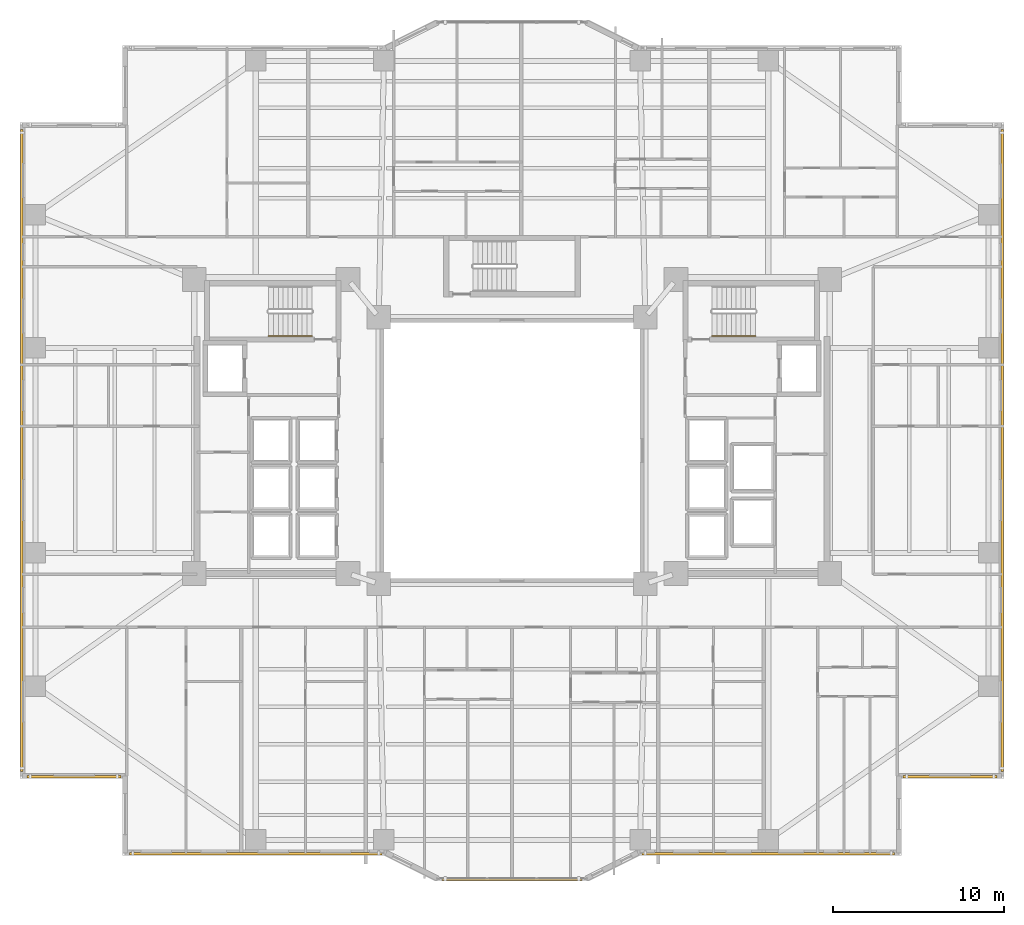
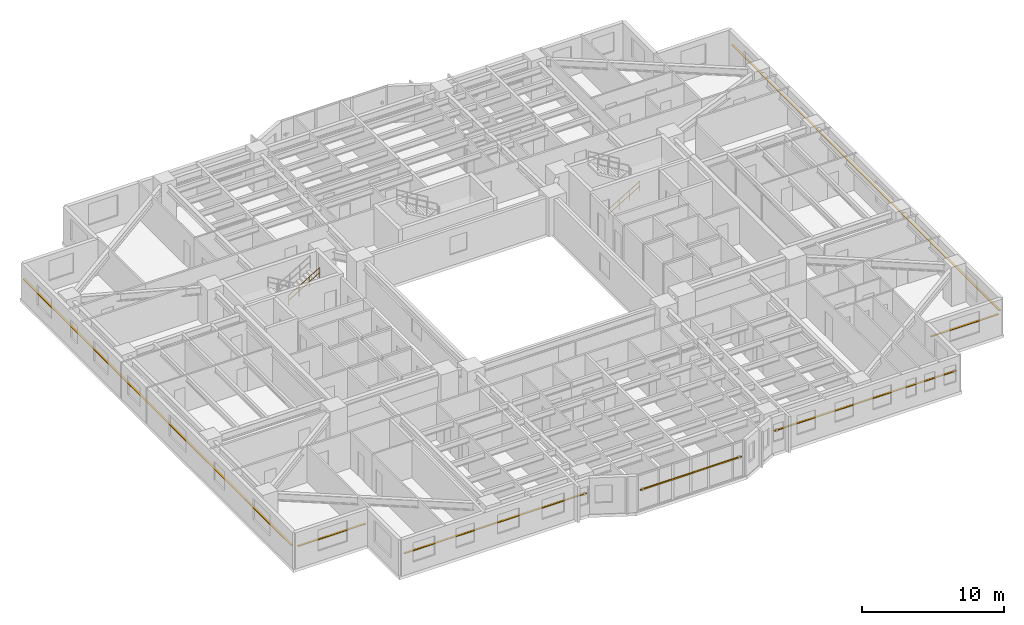
# One storey, part 20 of 22: 7 shading devices, 2 railings.
"""IFC4 building model written with IfcOpenShell, lengths in metres."""

from ifc_helpers import new_model, si_unit, direction, frame, origin, origin_2d, place, context, subcontext, project, spatial, rectangle, circle, extrude, material, material_profile, profile_set, type_object, element, save


model = new_model("IFC4")

# Units and contexts
model_context = context("Model", 3, precision=1e-05, world=origin(), true_north=direction((0.0, 1.0)))
body_context = subcontext(model_context, "Body", "Model", "MODEL_VIEW")
ifc_project = project(units=[si_unit("LENGTHUNIT", "METRE"), si_unit("AREAUNIT", "SQUARE_METRE"), si_unit("VOLUMEUNIT", "CUBIC_METRE"), si_unit("PLANEANGLEUNIT", "RADIAN"), si_unit("MASSUNIT", "GRAM", prefix="KILO")], contexts=[model_context])

# Site, building, storey
site_placement = place(None, origin())
site = spatial("IfcSite", under=ifc_project, at=site_placement, CompositionType="ELEMENT")
building_placement = place(site_placement, origin())
building = spatial("IfcBuilding", under=site, at=building_placement, Name="Tarnavaz Court Tower", CompositionType="ELEMENT")
storey_placement = place(building_placement, frame((0.0, 0.0, 27.35009765625)))
storey = spatial("IfcBuildingStorey", under=building, at=storey_placement, Name="L06", CompositionType="ELEMENT", Elevation=27.35009765625)

# Railings
ifc_material_1 = material(Name="Brushed Stainless Steel", Category="steel")
railing_type = type_object("IfcRailingType", Name="RL-HANDRAIL-900", PredefinedType="HANDRAIL", material=ifc_material_1)
railing_1_placement = place(storey_placement, frame((-14.239990234375, 6.699951171875, 1.84228515625)))
element("IfcRailing", 1, at=railing_1_placement, inside=storey, type_object=railing_type, Name="L06 ST-W1 stair handrail 2", PredefinedType="HANDRAIL", context=body_context, shape_type="SweptSolid", body=[
    extrude(circle(Radius=0.02392578125, at=origin_2d()), frame((0.0, 0.0, 0.8759765625), z_axis=(0.858159760407, 0.0, 0.513382728203), x_axis=(0.0, 1.0, 0.0)), (0.0, 0.0, 1.0), 2.9365234375),
    extrude(circle(Radius=0.02392578125, at=origin_2d()), frame((0.0, 0.0, 0.449951171875), z_axis=(0.858159760407, 0.0, 0.513382728203), x_axis=(0.0, 1.0, 0.0)), (0.0, 0.0, 1.0), 2.9365234375),
    extrude(circle(Radius=0.02099609375, at=origin_2d()), origin(), (0.0, 0.0, 1.0), 0.851806640625),
    extrude(circle(Radius=0.02099609375, at=origin_2d()), frame((0.840087890625, 0.0, 0.50244140625)), (0.0, 0.0, 1.0), 0.851806640625),
    extrude(circle(Radius=0.02099609375, at=origin_2d()), frame((1.679931640625, 0.0, 1.005126953125)), (0.0, 0.0, 1.0), 0.851806640625),
    extrude(circle(Radius=0.02099609375, at=origin_2d()), frame((2.52001953125, 0.0, 1.507568359375)), (0.0, 0.0, 1.0), 0.851806640625),
])
railing_2_placement = place(storey_placement, frame((11.719970703125, 6.699951171875, 0.16748046875)))
element("IfcRailing", 2, at=railing_2_placement, inside=storey, type_object=railing_type, Name="L06 ST-E1 stair handrail 1", PredefinedType="HANDRAIL", context=body_context, shape_type="SweptSolid", body=[
    extrude(circle(Radius=0.02392578125, at=origin_2d()), frame((0.0, 0.0, 0.8759765625), z_axis=(0.858196387827, 0.0, 0.513321497621), x_axis=(0.0, 1.0, 0.0)), (0.0, 0.0, 1.0), 2.9365234375),
    extrude(circle(Radius=0.02392578125, at=origin_2d()), frame((0.0, 0.0, 0.449951171875), z_axis=(0.858196387827, 0.0, 0.513321497621), x_axis=(0.0, 1.0, 0.0)), (0.0, 0.0, 1.0), 2.9365234375),
    extrude(circle(Radius=0.02099609375, at=origin_2d()), origin(), (0.0, 0.0, 1.0), 0.851806640625),
    extrude(circle(Radius=0.02099609375, at=origin_2d()), frame((0.840087890625, 0.0, 0.50244140625)), (0.0, 0.0, 1.0), 0.851806640625),
    extrude(circle(Radius=0.02099609375, at=origin_2d()), frame((1.679931640625, 0.0, 1.0048828125)), (0.0, 0.0, 1.0), 0.851806640625),
    extrude(circle(Radius=0.02099609375, at=origin_2d()), frame((2.52001953125, 0.0, 1.50732421875)), (0.0, 0.0, 1.0), 0.851806640625),
])

# Shading devices
ifc_material_2 = material(Name="Kiln-Fired Khorasan Terracotta Ceramic", Category="masonry")
ifc_material_profile_1 = material_profile(ifc_material_2, rectangle(XDim=0.1201171875, YDim=0.06005859375, at=origin_2d()), Name="TC BAGUETTE 120X60")
ifc_profile_set_1 = profile_set([ifc_material_profile_1], Name="Kiln-Fired Khorasan Terracotta Ceramic")
shading_device_type_1 = type_object("IfcShadingDeviceType", Name="SD-BAG-120", PredefinedType="USERDEFINED", material=ifc_profile_set_1)
shading_device_1_placement = place(storey_placement, frame((4.10009765625, -25.110107421875, 1.7998046875), z_axis=(-1.0, 0.0, 0.0), x_axis=(0.0, -1.0, 0.0)))
element("IfcShadingDevice", 3, at=shading_device_1_placement, inside=storey, type_object=shading_device_type_1, Name="L06 Terracotta Baguette Screen PBG17", ObjectType="BAGUETTE", PredefinedType="USERDEFINED", context=body_context, shape_type="SweptSolid", body=[
    extrude(rectangle(XDim=0.1201171875, YDim=0.06005859375, at=origin_2d()), origin(), (0.0, 0.0, 1.0), 8.2001953125),
])
ifc_material_profile_2 = material_profile(ifc_material_2, rectangle(XDim=0.14990234375, YDim=0.06494140625, at=origin_2d()), Name="TC BAGUETTE 150X65")
ifc_profile_set_2 = profile_set([ifc_material_profile_2], Name="Kiln-Fired Khorasan Terracotta Ceramic")
shading_device_type_2 = type_object("IfcShadingDeviceType", Name="SD-BAG-150", PredefinedType="USERDEFINED", material=ifc_profile_set_2)
shading_device_2_placement = place(storey_placement, frame((-22.89990234375, -19.110107421875, 1.849853515625), z_axis=(-1.0, 0.0, 0.0), x_axis=(0.0, -1.0, 0.0)))
element("IfcShadingDevice", 4, at=shading_device_2_placement, inside=storey, type_object=shading_device_type_2, Name="L06 Terracotta Baguette Screen FBG01", ObjectType="BAGUETTE", PredefinedType="USERDEFINED", context=body_context, shape_type="SweptSolid", body=[
    extrude(rectangle(XDim=0.14990234375, YDim=0.06494140625, at=origin_2d()), origin(), (0.0, 0.0, 1.0), 5.5),
])
for number, where, z_axis, x_axis, name in (
    (5, (-28.7099609375, -18.800048828125, 1.849853515625), (0.0, 1.0, 0.0), (-1.0, 0.0, 0.0), "L06 Terracotta Baguette Screen FBG02"),
    (6, (28.7099609375, 18.800048828125, 1.849853515625), (0.0, -1.0, 0.0), (1.0, 0.0, 0.0), "L06 Terracotta Baguette Screen FBG12"),
):
    element("IfcShadingDevice", number, at=place(storey_placement, frame(where, z_axis=z_axis, x_axis=x_axis)), inside=storey, type_object=shading_device_type_2, Name=name, ObjectType="BAGUETTE", PredefinedType="USERDEFINED", context=body_context, shape_type="SweptSolid", body=[
        extrude(rectangle(XDim=0.14990234375, YDim=0.06494140625, at=origin_2d()), origin(), (0.0, 0.0, 1.0), 37.60009765625),
    ])
shading_device_3_placement = place(storey_placement, frame((28.39990234375, -19.110107421875, 1.849853515625), z_axis=(-1.0, 0.0, 0.0), x_axis=(0.0, -1.0, 0.0)))
element("IfcShadingDevice", 7, at=shading_device_3_placement, inside=storey, type_object=shading_device_type_2, Name="L06 Terracotta Baguette Screen FBG13", ObjectType="BAGUETTE", PredefinedType="USERDEFINED", context=body_context, shape_type="SweptSolid", body=[
    extrude(rectangle(XDim=0.14990234375, YDim=0.06494140625, at=origin_2d()), origin(), (0.0, 0.0, 1.0), 5.5),
])
for number, where, z_axis, x_axis, name in (
    (8, (22.39990234375, -23.610107421875, 1.849853515625), (-1.0, 0.0, 0.0), (0.0, -1.0, 0.0), "L06 Terracotta Baguette Screen FBG15"),
    (9, (-7.60009765625, -23.610107421875, 1.849853515625), (-1.0, 0.0, 0.0), (0.0, -1.0, 0.0), "L06 Terracotta Baguette Screen FBG19"),
):
    element("IfcShadingDevice", number, at=place(storey_placement, frame(where, z_axis=z_axis, x_axis=x_axis)), inside=storey, type_object=shading_device_type_2, Name=name, ObjectType="BAGUETTE", PredefinedType="USERDEFINED", context=body_context, shape_type="SweptSolid", body=[
        extrude(rectangle(XDim=0.14990234375, YDim=0.06494140625, at=origin_2d()), origin(), (0.0, 0.0, 1.0), 14.7998046875),
    ])

save(model, "model.ifc")
